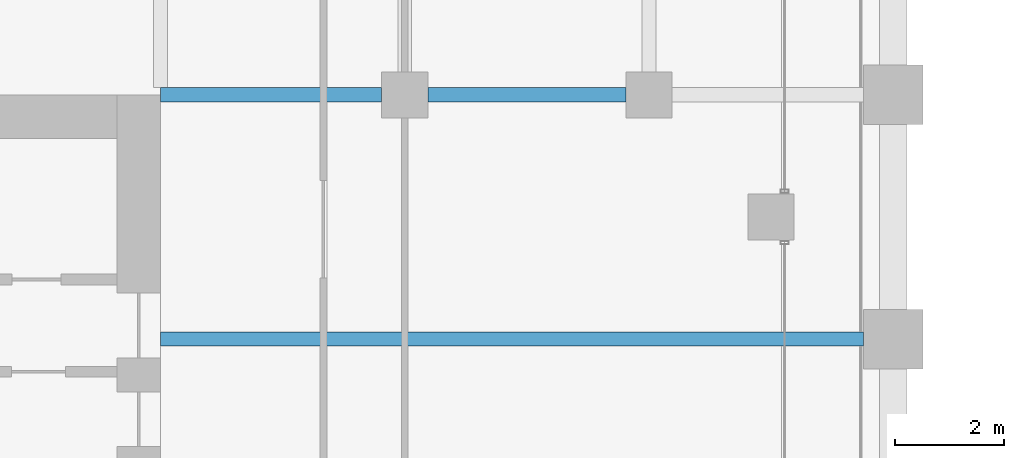
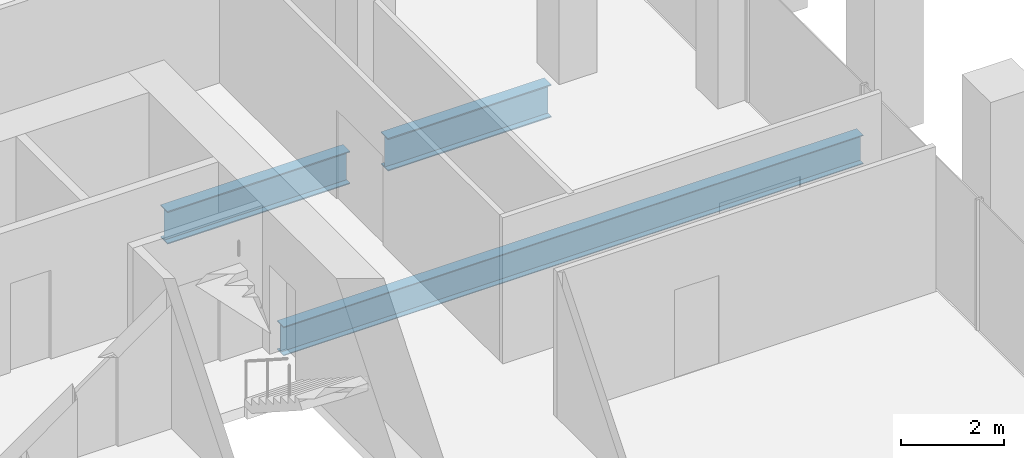
# One storey, part 21 of 54: 3 beams.
"""IFC4 building model written with IfcOpenShell, lengths in metres."""

from ifc_helpers import new_model, si_unit, direction, frame, origin, origin_2d, place, context, subcontext, project, spatial, i_section, extrude, material, material_profile, profile_set, type_object, element, save


model = new_model("IFC4")

# Units and contexts
model_context = context("Model", 3, precision=1e-05, world=origin(), true_north=direction((0.0, 1.0)))
body_context = subcontext(model_context, "Body", "Model", "MODEL_VIEW")
ifc_project = project(units=[si_unit("LENGTHUNIT", "METRE"), si_unit("AREAUNIT", "SQUARE_METRE"), si_unit("VOLUMEUNIT", "CUBIC_METRE"), si_unit("PLANEANGLEUNIT", "RADIAN"), si_unit("MASSUNIT", "GRAM", prefix="KILO")], contexts=[model_context])

# Site, building, storey
site_placement = place(None, origin())
site = spatial("IfcSite", under=ifc_project, at=site_placement, CompositionType="ELEMENT")
building_placement = place(site_placement, origin())
building = spatial("IfcBuilding", under=site, at=building_placement, Name="Altepetl Exchange Towers", CompositionType="ELEMENT")
storey_placement = place(building_placement, frame((0.0, 0.0, 65.39990234375)))
storey = spatial("IfcBuildingStorey", under=building, at=storey_placement, Name="L15", CompositionType="ELEMENT", Elevation=65.39990234375)

# Beams
ifc_material = material(Name="Steel S355", Category="steel")
ifc_material_profile_1 = material_profile(ifc_material, i_section(OverallWidth=0.25390625, OverallDepth=0.68408203125, WebThickness=0.012451171875, FlangeThickness=0.018798828125, at=origin_2d()), Name="W27X94")
ifc_profile_set_1 = profile_set([ifc_material_profile_1], Name="Steel S355")
beam_type_1 = type_object("IfcBeamType", Name="Floor beam W27X94", PredefinedType="BEAM", material=ifc_profile_set_1)
beam_1_placement = place(storey_placement, frame((58.5, 54.0, -0.491943359375), z_axis=(1.0, 0.0, 0.0), x_axis=(0.0, 1.0, 0.0)))
element("IfcBeam", 1, at=beam_1_placement, inside=storey, type_object=beam_type_1, Name="bm:A:L15:011", PredefinedType="BEAM", context=body_context, shape_type="SweptSolid", body=[
    extrude(i_section(OverallWidth=0.25390625, OverallDepth=0.68408203125, WebThickness=0.012451171875, FlangeThickness=0.018798828125, at=origin_2d()), origin(), (0.0, 0.0, 1.0), 12.949951171875),
])
ifc_material_profile_2 = material_profile(ifc_material, i_section(OverallWidth=0.26806640625, OverallDepth=0.77392578125, WebThickness=0.015380859375, FlangeThickness=0.025390625, at=origin_2d()), Name="W30X132")
ifc_profile_set_2 = profile_set([ifc_material_profile_2], Name="Steel S355")
beam_type_2 = type_object("IfcBeamType", Name="Girder W30X132", PredefinedType="BEAM", material=ifc_profile_set_2)
beam_2_placement = place(storey_placement, frame((58.5, 58.5, -0.536865234375), z_axis=(1.0, 0.0, 0.0), x_axis=(0.0, 1.0, 0.0)))
element("IfcBeam", 2, at=beam_2_placement, inside=storey, type_object=beam_type_2, Name="gd:A:L15:000", PredefinedType="BEAM", context=body_context, shape_type="SweptSolid", body=[
    extrude(i_section(OverallWidth=0.26806640625, OverallDepth=0.77392578125, WebThickness=0.015380859375, FlangeThickness=0.025390625, at=origin_2d()), origin(), (0.0, 0.0, 1.0), 4.074951171875),
])
beam_3_placement = place(storey_placement, frame((63.425048828125, 58.5, -0.536865234375), z_axis=(1.0, 0.0, 0.0), x_axis=(0.0, 1.0, 0.0)))
element("IfcBeam", 3, at=beam_3_placement, inside=storey, type_object=beam_type_2, Name="gd:A:L15:001", PredefinedType="BEAM", context=body_context, shape_type="SweptSolid", body=[
    extrude(i_section(OverallWidth=0.26806640625, OverallDepth=0.77392578125, WebThickness=0.015380859375, FlangeThickness=0.025390625, at=origin_2d()), origin(), (0.0, 0.0, 1.0), 3.64990234375),
])

save(model, "model.ifc")
